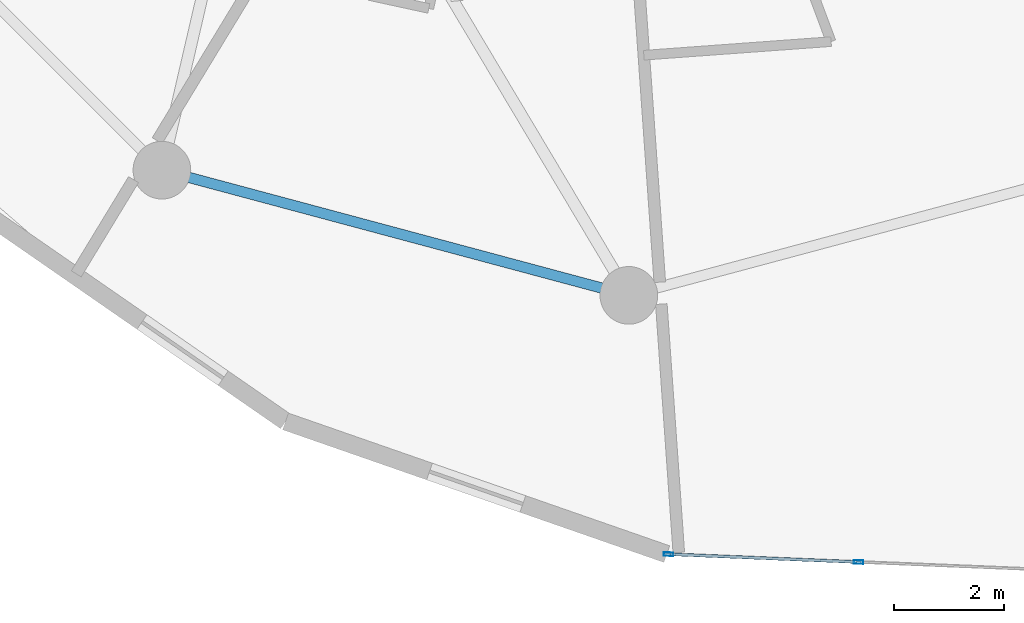
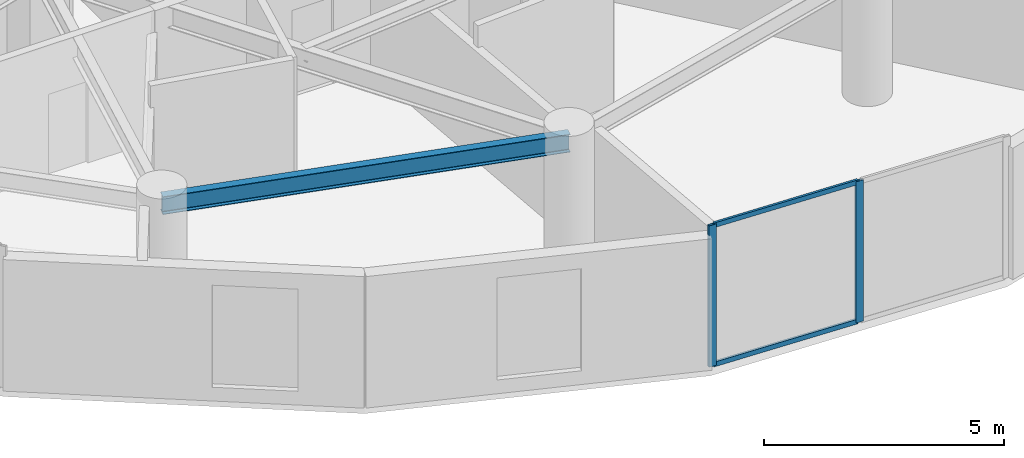
# One storey, part 3 of 23: 4 members, 1 beam, 1 element without a shape of its own.
"""IFC4 building model written with IfcOpenShell, lengths in metres."""

from ifc_helpers import new_model, si_unit, direction, frame, origin, origin_2d, place, context, subcontext, project, spatial, hollow_rectangle, i_section, extrude, source, transform, mapped, material, layer, layer_set, material_profile, profile_set, type_object, element, aggregate, save


model = new_model("IFC4")

# Units and contexts
model_context = context("Model", 3, precision=1e-05, world=origin(), true_north=direction((0.0, 1.0)))
body_context = subcontext(model_context, "Body", "Model", "MODEL_VIEW")
ifc_project = project(units=[si_unit("LENGTHUNIT", "METRE"), si_unit("AREAUNIT", "SQUARE_METRE"), si_unit("VOLUMEUNIT", "CUBIC_METRE"), si_unit("PLANEANGLEUNIT", "RADIAN"), si_unit("MASSUNIT", "GRAM", prefix="KILO")], contexts=[model_context])

# Site, building, storey
site_placement = place(None, origin())
site = spatial("IfcSite", under=ifc_project, at=site_placement, CompositionType="ELEMENT")
building_placement = place(site_placement, origin())
building = spatial("IfcBuilding", under=site, at=building_placement, Name="Solvirekh Grand Hotel", CompositionType="ELEMENT")
storey_placement = place(building_placement, frame((0.0, 0.0, 138.60009765625)))
storey = spatial("IfcBuildingStorey", under=building, at=storey_placement, Name="L35", CompositionType="ELEMENT", Elevation=138.60009765625)

# Beam
ifc_material_1 = material(Name="Steel S355", Category="steel")
ifc_material_profile_1 = material_profile(ifc_material_1, i_section(OverallWidth=0.18994140625, OverallDepth=0.45703125, WebThickness=0.009033203125, FlangeThickness=0.013916015625, FilletRadius=0.012939453125, at=origin_2d()), Name="W460X74")
ifc_profile_set_1 = profile_set([ifc_material_profile_1], Name="Steel S355")
beam_type = type_object("IfcBeamType", Name="Spandrel_Ring_W460", PredefinedType="SPANDREL", material=ifc_profile_set_1)
beam_placement = place(storey_placement, frame((-8.5, -14.721923828125, 3.120849609375), z_axis=(0.965911391906, -0.258872908946, 0.0), x_axis=(0.258872908946, 0.965911391906, 0.0)))
element("IfcBeam", 1, at=beam_placement, inside=storey, type_object=beam_type, Name="L35 perimeter spandrel beam 9", PredefinedType="SPANDREL", context=body_context, shape_type="SweptSolid", body=[
    extrude(i_section(OverallWidth=0.18994140625, OverallDepth=0.45703125, WebThickness=0.009033203125, FlangeThickness=0.013916015625, FilletRadius=0.012939453125, at=origin_2d()), origin(), (0.0, 0.0, 1.0), 8.800048828125),
])

# Curtain wall, members
ifc_material_2 = material(Name="Anodized Bronze Aluminium 6063-T6", Category="aluminium")
ifc_layer = layer(ifc_material_2, 0.175048828125)
ifc_layer_set = layer_set([ifc_layer], Name="Anodized Bronze Aluminium 6063-T6")
curtain_wall_type = type_object("IfcCurtainWallType", Name="CW_Sys3_MidZoneFlushBronzeCW", PredefinedType="NOTDEFINED", material=ifc_layer_set)
curtain_wall_placement = place(storey_placement, origin())
curtain_wall = element("IfcCurtainWall", 2, at=curtain_wall_placement, inside=storey, type_object=curtain_wall_type, Name="L35 unitised bronze-glass curtain wall CW-L35-C18", PredefinedType="NOTDEFINED")
ifc_material_profile_2 = material_profile(ifc_material_2, hollow_rectangle(XDim=0.06494140625, YDim=0.175048828125, WallThickness=0.0048828125, at=origin_2d()), Name="ALU RHS 175X65X5")
ifc_profile_set_2 = profile_set([ifc_material_profile_2], Name="Anodized Bronze Aluminium 6063-T6")
member_type_1 = type_object("IfcMemberType", Name="CWMullion_Sys3", PredefinedType="MULLION", material=ifc_profile_set_2)
shared_shape_1 = source(origin(), body_context, "Body", "SweptSolid", [
    extrude(hollow_rectangle(XDim=0.06494140625, YDim=0.175048828125, WallThickness=0.0048828125, at=origin_2d()), origin(), (0.0, 0.0, 1.0), 3.599853515625),
])
member_1_placement = place(storey_placement, frame((0.722412109375, -21.71240234375, 0.0), z_axis=(0.0, 0.0, 1.0), x_axis=(0.041350825581, 0.999144688833, 0.0)))
member_1 = element("IfcMember", 3, at=member_1_placement, type_object=member_type_1, Name="U03 mullion 1", PredefinedType="MULLION", context=body_context, shape_type="MappedRepresentation", body=[
    mapped(shared_shape_1, transform((0.0, 0.0, 0.0), x_axis=(1.0, 0.0, 0.0), y_axis=(0.0, 1.0, 0.0), z_axis=(0.0, 0.0, 1.0), scale=1.0)),
])
member_2_placement = place(storey_placement, frame((4.181396484375, -21.85546875, 0.0), z_axis=(0.0, 0.0, 1.0), x_axis=(0.041350825581, 0.999144688833, 0.0)))
member_2 = element("IfcMember", 4, at=member_2_placement, type_object=member_type_1, Name="U03 mullion 2", PredefinedType="MULLION", context=body_context, shape_type="MappedRepresentation", body=[
    mapped(shared_shape_1, transform((0.0, 0.0, 0.0), x_axis=(1.0, 0.0, 0.0), y_axis=(0.0, 1.0, 0.0), z_axis=(0.0, 0.0, 1.0), scale=1.0)),
])
ifc_material_profile_3 = material_profile(ifc_material_2, hollow_rectangle(XDim=0.054931640625, YDim=0.1201171875, WallThickness=0.00390625, at=origin_2d()), Name="ALU RHS 120X55X4")
ifc_profile_set_3 = profile_set([ifc_material_profile_3], Name="Anodized Bronze Aluminium 6063-T6")
member_type_2 = type_object("IfcMemberType", Name="CWTransom_Sys3", PredefinedType="USERDEFINED", material=ifc_profile_set_3)
shared_shape_2 = source(origin(), body_context, "Body", "SweptSolid", [
    extrude(hollow_rectangle(XDim=0.054931640625, YDim=0.1201171875, WallThickness=0.00390625, at=origin_2d()), origin(), (0.0, 0.0, 1.0), 3.39697265625),
])
member_3_placement = place(storey_placement, frame((0.7548828125, -21.713623046875, 0.02734375), z_axis=(0.999142761471, -0.041397369487, 0.0), x_axis=(0.041397369487, 0.999142761471, 0.0)))
member_3 = element("IfcMember", 5, at=member_3_placement, type_object=member_type_2, Name="U03 transom 1.1", ObjectType="TRANSOM", PredefinedType="USERDEFINED", context=body_context, shape_type="MappedRepresentation", body=[
    mapped(shared_shape_2, transform((0.0, 0.0, 0.0), x_axis=(1.0, 0.0, 0.0), y_axis=(0.0, 1.0, 0.0), z_axis=(0.0, 0.0, 1.0), scale=1.0)),
])
member_4_placement = place(storey_placement, frame((0.7548828125, -21.713623046875, 3.572509765625), z_axis=(0.999142761471, -0.041397369487, 0.0), x_axis=(0.041397369487, 0.999142761471, 0.0)))
member_4 = element("IfcMember", 6, at=member_4_placement, type_object=member_type_2, Name="U03 transom 1.2", ObjectType="TRANSOM", PredefinedType="USERDEFINED", context=body_context, shape_type="MappedRepresentation", body=[
    mapped(shared_shape_2, transform((0.0, 0.0, 0.0), x_axis=(1.0, 0.0, 0.0), y_axis=(0.0, 1.0, 0.0), z_axis=(0.0, 0.0, 1.0), scale=1.0)),
])
aggregate(curtain_wall, [member_1, member_2, member_3, member_4])

save(model, "model.ifc")
